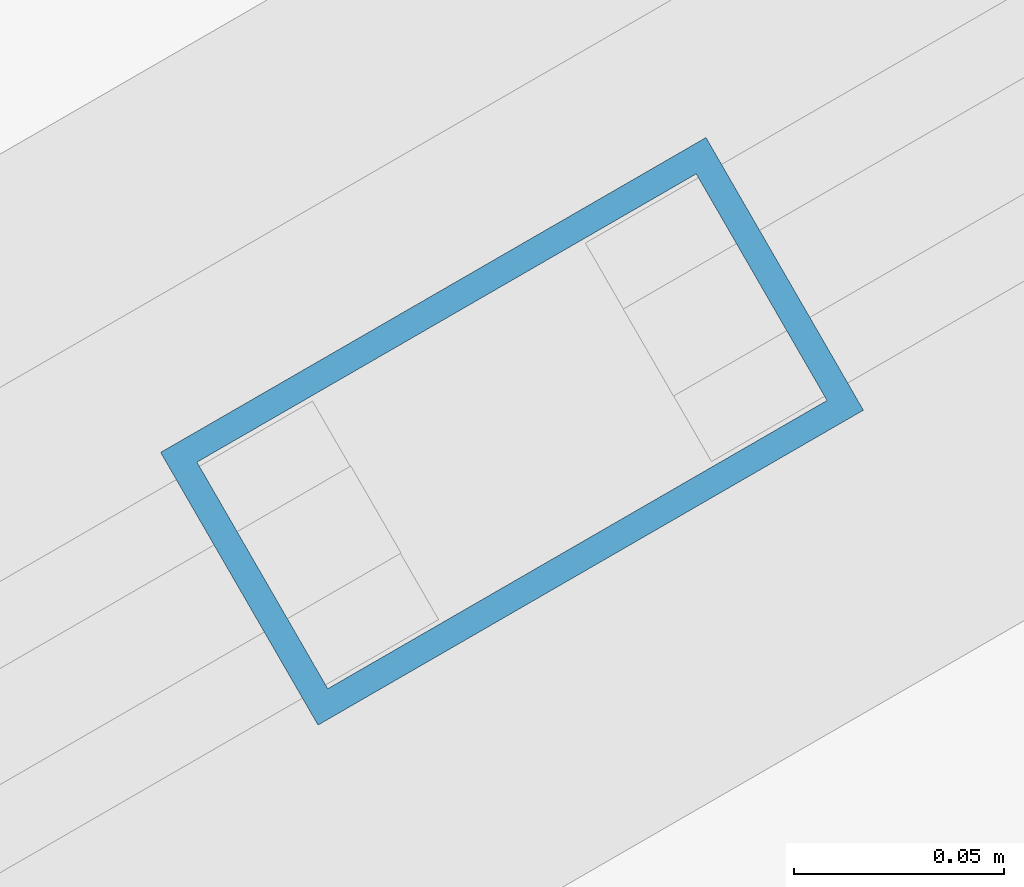
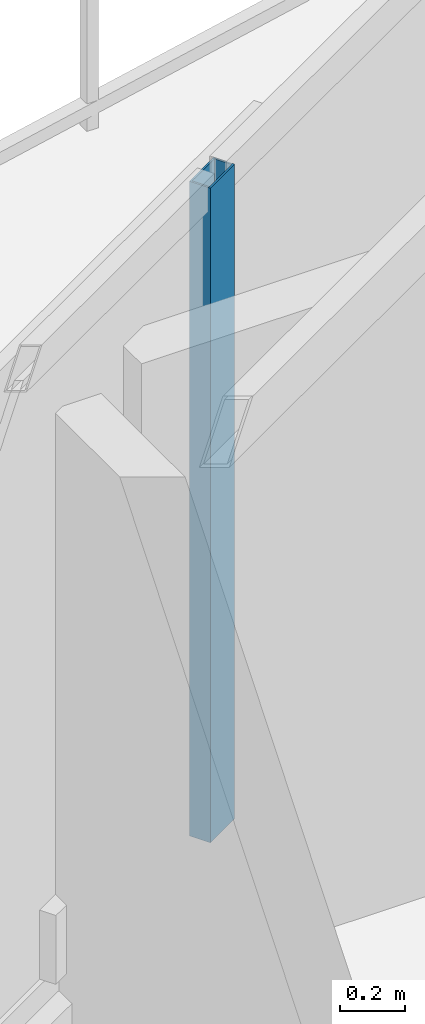
# One storey, part 11 of 23: 1 member, 1 element without a shape of its own.
"""IFC4 building model written with IfcOpenShell, lengths in metres."""

from ifc_helpers import new_model, si_unit, direction, frame, origin, origin_2d, place, context, subcontext, project, spatial, hollow_rectangle, extrude, material, layer, layer_set, material_profile, profile_set, type_object, element, aggregate, save


model = new_model("IFC4")

# Units and contexts
model_context = context("Model", 3, precision=1e-05, world=origin(), true_north=direction((0.0, 1.0)))
body_context = subcontext(model_context, "Body", "Model", "MODEL_VIEW")
ifc_project = project(units=[si_unit("LENGTHUNIT", "METRE"), si_unit("AREAUNIT", "SQUARE_METRE"), si_unit("VOLUMEUNIT", "CUBIC_METRE"), si_unit("PLANEANGLEUNIT", "RADIAN"), si_unit("MASSUNIT", "GRAM", prefix="KILO")], contexts=[model_context])

# Site, building, storey
site_placement = place(None, origin())
site = spatial("IfcSite", under=ifc_project, at=site_placement, CompositionType="ELEMENT")
building_placement = place(site_placement, origin())
building = spatial("IfcBuilding", under=site, at=building_placement, Name="Mersakhor Tower and Convention Hall", CompositionType="ELEMENT")
storey_placement = place(building_placement, frame((0.0, 0.0, 96.60009765625)))
storey = spatial("IfcBuildingStorey", under=building, at=storey_placement, Name="L26", CompositionType="ELEMENT", Elevation=96.60009765625)

# Curtain wall, member
ifc_material_1 = material(Name="Dark solar low-E aluminium curtain wall", Category="aluminium")
ifc_layer = layer(ifc_material_1, 0.159912109375)
ifc_layer_set = layer_set([ifc_layer], Name="Dark solar low-E aluminium curtain wall")
curtain_wall_type = type_object("IfcCurtainWallType", Name="CW-SYS-01", PredefinedType="USERDEFINED", material=ifc_layer_set)
curtain_wall_placement = place(storey_placement, origin())
curtain_wall = element("IfcCurtainWall", 1, at=curtain_wall_placement, inside=storey, type_object=curtain_wall_type, Name="L26 Dark-Glass Curtain Wall F1-B2", ObjectType="CURTAIN WALL", PredefinedType="USERDEFINED")
ifc_material_2 = material(Name="Anodised aluminium EN AW-6063 T6", Category="aluminium")
ifc_material_profile = material_profile(ifc_material_2, hollow_rectangle(XDim=0.074951171875, YDim=0.14990234375, WallThickness=0.00634765625, at=origin_2d()), Name="RHS 150x75x6.3")
ifc_profile_set = profile_set([ifc_material_profile], Name="Anodised aluminium EN AW-6063 T6")
member_type = type_object("IfcMemberType", Name="CWM-150x75", PredefinedType="MULLION", material=ifc_profile_set)
member_placement = place(storey_placement, frame((20.36181640625, 37.968505859375, 0.199951171875), z_axis=(0.0, 0.0, 1.0), x_axis=(-0.499997904985, 0.866026613339, 0.0)))
member = element("IfcMember", 2, at=member_placement, type_object=member_type, Name="CW-01 mullion 2", PredefinedType="MULLION", context=body_context, shape_type="SweptSolid", body=[
    extrude(hollow_rectangle(XDim=0.074951171875, YDim=0.14990234375, WallThickness=0.00634765625, at=origin_2d()), origin(), (0.0, 0.0, 1.0), 2.469970703125),
])
aggregate(curtain_wall, [member])

save(model, "model.ifc")
